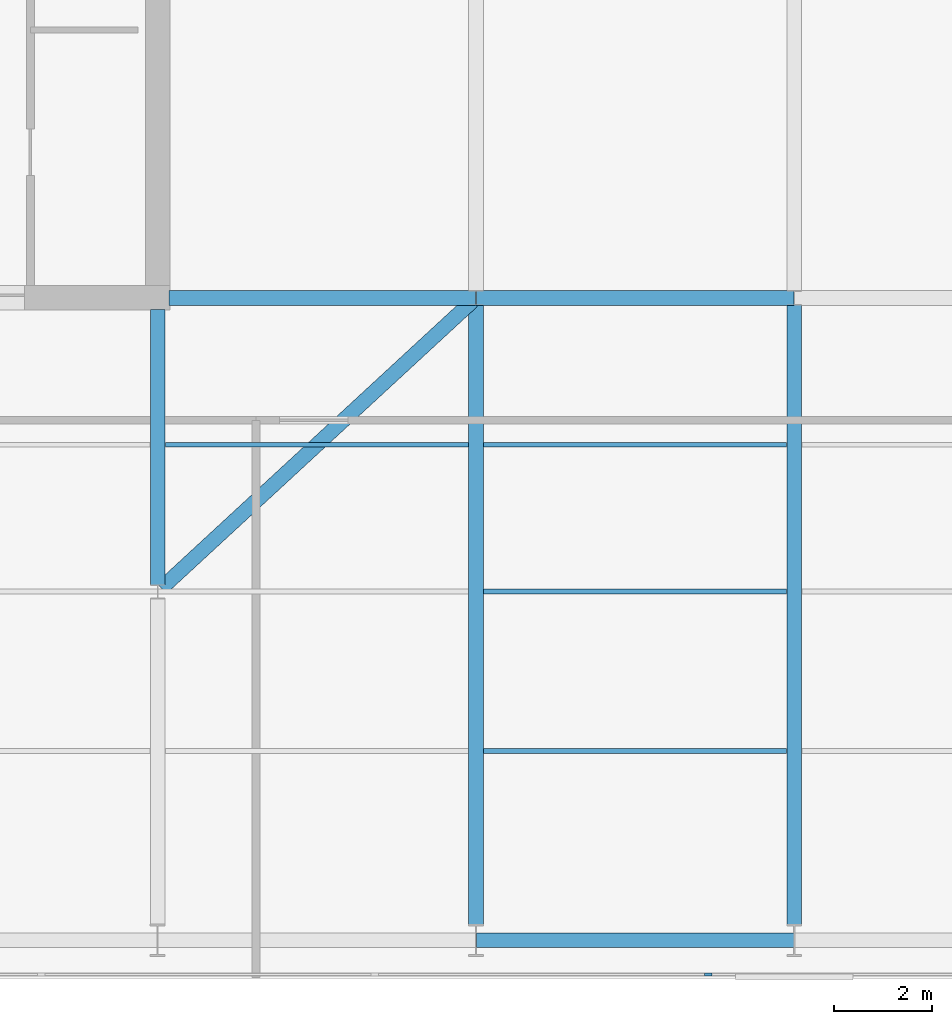
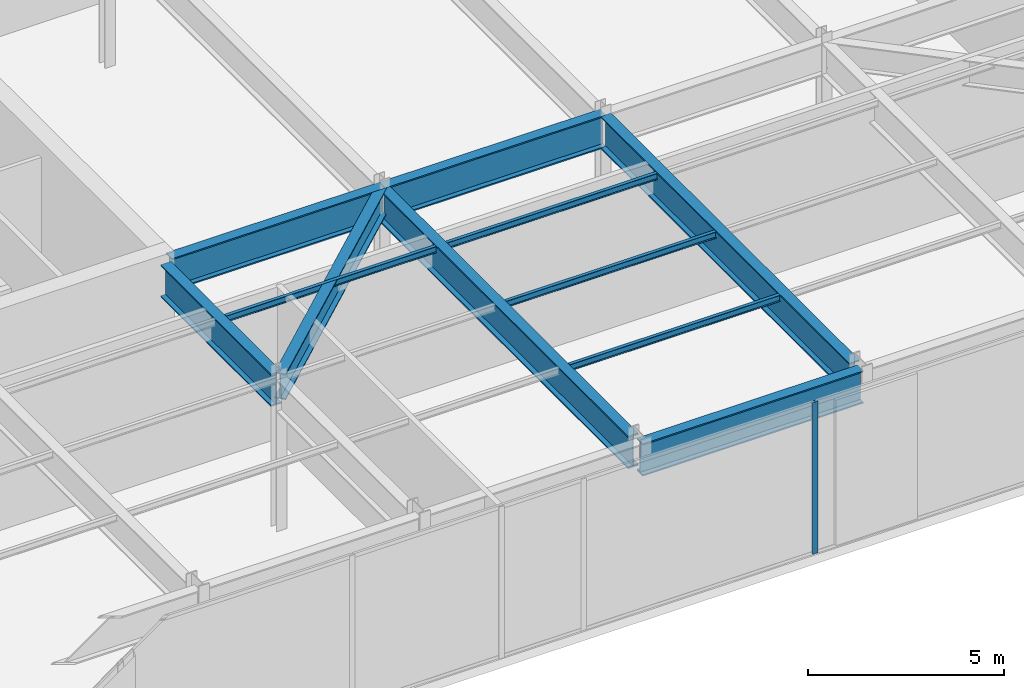
# One storey, part 6 of 23: 11 beams, 1 member, 1 element without a shape of its own.
"""IFC4 building model written with IfcOpenShell, lengths in metres."""

from ifc_helpers import new_model, si_unit, direction, frame, origin, origin_2d, place, context, subcontext, project, spatial, rectangle, i_section, extrude, material, layer, layer_set, material_profile, profile_set, type_object, element, aggregate, save


model = new_model("IFC4")

# Units and contexts
model_context = context("Model", 3, precision=1e-05, world=origin(), true_north=direction((0.0, 1.0)))
body_context = subcontext(model_context, "Body", "Model", "MODEL_VIEW")
ifc_project = project(units=[si_unit("LENGTHUNIT", "METRE"), si_unit("AREAUNIT", "SQUARE_METRE"), si_unit("VOLUMEUNIT", "CUBIC_METRE"), si_unit("PLANEANGLEUNIT", "RADIAN"), si_unit("MASSUNIT", "GRAM", prefix="KILO")], contexts=[model_context])

# Site, building, storey
site_placement = place(None, origin())
site = spatial("IfcSite", under=ifc_project, at=site_placement, CompositionType="ELEMENT")
building_placement = place(site_placement, origin())
building = spatial("IfcBuilding", under=site, at=building_placement, Name="Putna Gate Headquarters", CompositionType="ELEMENT")
storey_placement = place(building_placement, frame((0.0, 0.0, 310.39990234375)))
storey = spatial("IfcBuildingStorey", under=building, at=storey_placement, Name="L78", CompositionType="ELEMENT", Elevation=310.39990234375)

# Beams
ifc_material_1 = material(Name="Steel S355J2", Category="steel")
ifc_material_profile_1 = material_profile(ifc_material_1, i_section(OverallWidth=0.300048828125, OverallDepth=0.800048828125, WebThickness=0.017578125, FlangeThickness=0.032958984375, at=origin_2d()), Name="Steel S355J2")
ifc_profile_set_1 = profile_set([ifc_material_profile_1], Name="Steel S355J2")
beam_type_1 = type_object("IfcBeamType", Name="BM-GIRD-P-HEB800", PredefinedType="USERDEFINED", material=ifc_profile_set_1)
beam_1_placement = place(storey_placement, frame((26.07568359375, 13.06982421875, 4.320068359375), z_axis=(0.734799111247, 0.678284797199, 0.0), x_axis=(-0.678284797199, 0.734799111247, 0.0)))
element("IfcBeam", 1, at=beam_1_placement, inside=storey, type_object=beam_type_1, Name="L78 Core Flank Collector Tie Girder SW", ObjectType="GIRDER", PredefinedType="USERDEFINED", context=body_context, shape_type="SweptSolid", body=[
    extrude(i_section(OverallWidth=0.300048828125, OverallDepth=0.800048828125, WebThickness=0.017578125, FlangeThickness=0.032958984375, at=origin_2d()), origin(), (0.0, 0.0, 1.0), 8.639892578125),
])
ifc_material_profile_2 = material_profile(ifc_material_1, i_section(OverallWidth=0.10009765625, OverallDepth=0.199951171875, WebThickness=0.005615234375, FlangeThickness=0.008544921875, at=origin_2d()), Name="Steel S355J2")
ifc_profile_set_2 = profile_set([ifc_material_profile_2], Name="Steel S355J2")
beam_type_2 = type_object("IfcBeamType", Name="BM-SEC-PLT-IPE200", PredefinedType="JOIST", material=ifc_profile_set_2)
for number, where, z_axis, x_axis, name in (
    (2, (26.155029296875, 16.0, 4.6201171875), (1.0, 0.0, 0.0), (0.0, 1.0, 0.0), "L78 South Secondary Beam 3"),
    (3, (32.655029296875, 9.75, 4.6201171875), (1.0, 0.0, 0.0), (0.0, 1.0, 0.0), "L78 South Secondary Beam 4"),
    (4, (32.655029296875, 13.0, 4.6201171875), (1.0, 0.0, 0.0), (0.0, 1.0, 0.0), "L78 South Secondary Beam 4"),
    (5, (32.655029296875, 16.0, 4.6201171875), (1.0, 0.0, 0.0), (0.0, 1.0, 0.0), "L78 South Secondary Beam 4"),
):
    element("IfcBeam", number, at=place(storey_placement, frame(where, z_axis=z_axis, x_axis=x_axis)), inside=storey, type_object=beam_type_2, Name=name, PredefinedType="JOIST", context=body_context, shape_type="SweptSolid", body=[
        extrude(i_section(OverallWidth=0.10009765625, OverallDepth=0.199951171875, WebThickness=0.005615234375, FlangeThickness=0.008544921875, at=origin_2d()), origin(), (0.0, 0.0, 1.0), 6.18994140625),
    ])
ifc_material_2 = material(Name="Steel S460M", Category="steel")
ifc_material_profile_3 = material_profile(ifc_material_2, i_section(OverallWidth=0.302001953125, OverallDepth=1.008056640625, WebThickness=0.02099609375, FlangeThickness=0.0400390625, at=origin_2d()), Name="Steel S460M")
ifc_profile_set_3 = profile_set([ifc_material_profile_3], Name="Steel S460M")
beam_type_3 = type_object("IfcBeamType", Name="BM-TG-HEM1000", PredefinedType="USERDEFINED", material=ifc_profile_set_3)
beam_2_placement = place(storey_placement, frame((26.0, 13.137939453125, 4.216064453125), z_axis=(0.0, 1.0, 0.0), x_axis=(-1.0, 0.0, 0.0)))
element("IfcBeam", 6, at=beam_2_placement, inside=storey, type_object=beam_type_3, Name="L78 South Primary Girder X26-2", ObjectType="GIRDER", PredefinedType="USERDEFINED", context=body_context, shape_type="SweptSolid", body=[
    extrude(i_section(OverallWidth=0.302001953125, OverallDepth=1.008056640625, WebThickness=0.02099609375, FlangeThickness=0.0400390625, at=origin_2d()), origin(), (0.0, 0.0, 1.0), 5.626953125),
])
for number, where, z_axis, x_axis, name in (
    (7, (32.5, 6.201904296875, 4.216064453125), (0.0, 1.0, 0.0), (-1.0, 0.0, 0.0), "L78 South Primary Girder X32"),
    (8, (39.0, 6.201904296875, 4.216064453125), (0.0, 1.0, 0.0), (-1.0, 0.0, 0.0), "L78 South Primary Girder X39"),
):
    element("IfcBeam", number, at=place(storey_placement, frame(where, z_axis=z_axis, x_axis=x_axis)), inside=storey, type_object=beam_type_3, Name=name, ObjectType="GIRDER", PredefinedType="USERDEFINED", context=body_context, shape_type="SweptSolid", body=[
        extrude(i_section(OverallWidth=0.302001953125, OverallDepth=1.008056640625, WebThickness=0.02099609375, FlangeThickness=0.0400390625, at=origin_2d()), origin(), (0.0, 0.0, 1.0), 12.66015625),
    ])
beam_3_placement = place(storey_placement, frame((26.235107421875, 19.0, 4.216064453125), z_axis=(1.0, 0.0, 0.0), x_axis=(0.0, 1.0, 0.0)))
element("IfcBeam", 9, at=beam_3_placement, inside=storey, type_object=beam_type_3, Name="L78 Atrium Edge Beam AS1", ObjectType="GIRDER", PredefinedType="USERDEFINED", context=body_context, shape_type="SweptSolid", body=[
    extrude(i_section(OverallWidth=0.302001953125, OverallDepth=1.008056640625, WebThickness=0.02099609375, FlangeThickness=0.0400390625, at=origin_2d()), origin(), (0.0, 0.0, 1.0), 6.2587890625),
])
beam_4_placement = place(storey_placement, frame((32.506103515625, 19.0, 4.216064453125), z_axis=(1.0, 0.0, 0.0), x_axis=(0.0, 1.0, 0.0)))
element("IfcBeam", 10, at=beam_4_placement, inside=storey, type_object=beam_type_3, Name="L78 Atrium Edge Beam AS2", ObjectType="GIRDER", PredefinedType="USERDEFINED", context=body_context, shape_type="SweptSolid", body=[
    extrude(i_section(OverallWidth=0.302001953125, OverallDepth=1.008056640625, WebThickness=0.02099609375, FlangeThickness=0.0400390625, at=origin_2d()), origin(), (0.0, 0.0, 1.0), 6.48779296875),
])
ifc_material_profile_4 = material_profile(ifc_material_2, i_section(OverallWidth=0.302001953125, OverallDepth=1.008056640625, WebThickness=0.02099609375, FlangeThickness=0.0400390625, at=origin_2d()), Name="Steel S460M")
ifc_profile_set_4 = profile_set([ifc_material_profile_4], Name="Steel S460M")
beam_type_4 = type_object("IfcBeamType", Name="BM-TG-HEM1000-EXT", PredefinedType="USERDEFINED", material=ifc_profile_set_4)
beam_5_placement = place(storey_placement, frame((32.506103515625, 5.8798828125, 4.216064453125), z_axis=(1.0, 0.0, 0.0), x_axis=(0.0, 1.0, 0.0)))
element("IfcBeam", 11, at=beam_5_placement, inside=storey, type_object=beam_type_4, Name="L78 S Perimeter Spandrel 4", ObjectType="GIRDER", PredefinedType="USERDEFINED", context=body_context, shape_type="SweptSolid", body=[
    extrude(i_section(OverallWidth=0.302001953125, OverallDepth=1.008056640625, WebThickness=0.02099609375, FlangeThickness=0.0400390625, at=origin_2d()), origin(), (0.0, 0.0, 1.0), 6.48779296875),
])

# Curtain wall, member
ifc_material_3 = material(Name="Anodised bronze aluminium curtain wall", Category="aluminium")
ifc_layer = layer(ifc_material_3, 0.159912109375)
ifc_layer_set = layer_set([ifc_layer], Name="Anodised bronze aluminium curtain wall")
curtain_wall_type = type_object("IfcCurtainWallType", Name="CW-SYS-CRN", PredefinedType="USERDEFINED", material=ifc_layer_set)
curtain_wall_placement = place(storey_placement, origin())
curtain_wall = element("IfcCurtainWall", 12, at=curtain_wall_placement, inside=storey, type_object=curtain_wall_type, Name="L78 Acoustic Louvre South Enclosure", ObjectType="STICK CURTAIN WALL", PredefinedType="USERDEFINED")
ifc_material_4 = material(Name="Anodised bronze aluminium EN AW-6060", Category="aluminium")
ifc_material_profile_5 = material_profile(ifc_material_4, rectangle(XDim=0.06494140625, YDim=0.159912109375, at=origin_2d()), Name="Anodised bronze aluminium EN AW-6060")
ifc_profile_set_5 = profile_set([ifc_material_profile_5], Name="Anodised bronze aluminium EN AW-6060")
member_type = type_object("IfcMemberType", Name="MULL-CWM-CR", PredefinedType="MULLION", material=ifc_profile_set_5)
member_placement = place(storey_placement, frame((37.244384765625, 5.179931640625, 0.0), z_axis=(0.0, 0.0, 1.0), x_axis=(0.0, 1.0, 0.0)))
member = element("IfcMember", 13, at=member_placement, type_object=member_type, Name="CWS-CR mullion 5", PredefinedType="MULLION", context=body_context, shape_type="SweptSolid", body=[
    extrude(rectangle(XDim=0.06494140625, YDim=0.159912109375, at=origin_2d()), origin(), (0.0, 0.0, 1.0), 4.72021484375),
])
aggregate(curtain_wall, [member])

save(model, "model.ifc")
